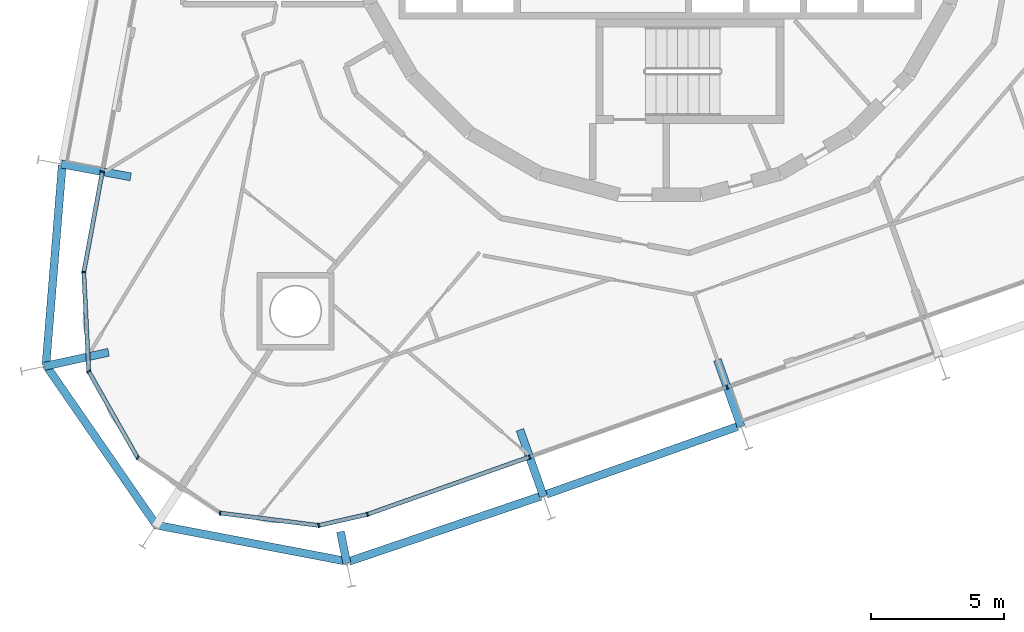
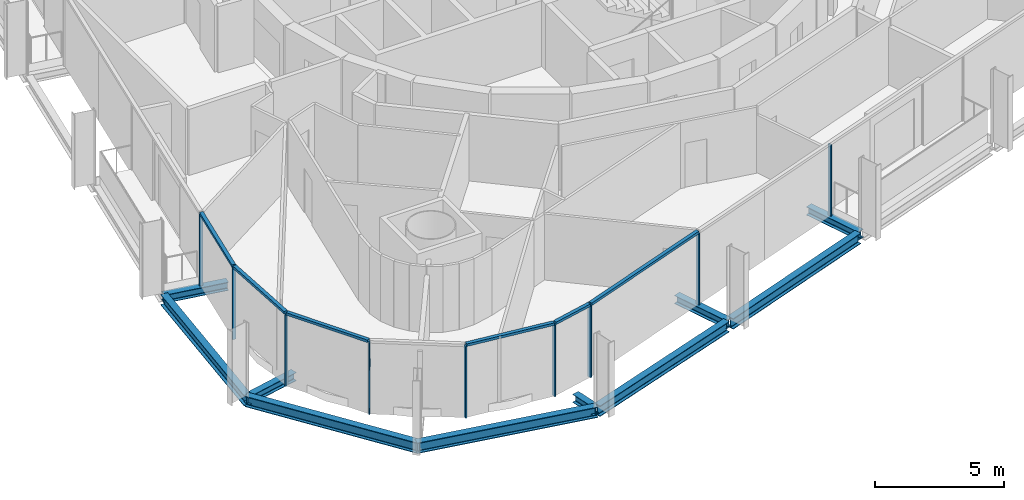
# One storey, part 2 of 17: 15 members, 10 beams, 2 elements without a shape of their own.
"""IFC4 building model written with IfcOpenShell, lengths in metres."""

from ifc_helpers import new_model, si_unit, direction, frame, origin, origin_2d, place, context, subcontext, project, spatial, rectangle, i_section, extrude, material, layer, layer_set, material_profile, profile_set, type_object, element, aggregate, save


model = new_model("IFC4")

# Units and contexts
model_context = context("Model", 3, precision=1e-05, world=origin(), true_north=direction((0.0, 1.0)))
body_context = subcontext(model_context, "Body", "Model", "MODEL_VIEW")
ifc_project = project(units=[si_unit("LENGTHUNIT", "METRE"), si_unit("AREAUNIT", "SQUARE_METRE"), si_unit("VOLUMEUNIT", "CUBIC_METRE"), si_unit("PLANEANGLEUNIT", "RADIAN"), si_unit("MASSUNIT", "GRAM", prefix="KILO")], contexts=[model_context])

# Site, building, storey
site_placement = place(None, origin())
site = spatial("IfcSite", under=ifc_project, at=site_placement, CompositionType="ELEMENT")
building_placement = place(site_placement, origin())
building = spatial("IfcBuilding", under=site, at=building_placement, Name="Spindle Arch Residences", CompositionType="ELEMENT")
storey_placement = place(building_placement, frame((0.0, 0.0, 162.199951171875)))
storey = spatial("IfcBuildingStorey", under=building, at=storey_placement, Name="L40", CompositionType="ELEMENT", Elevation=162.199951171875)

# Curtain wall, members
ifc_material_1 = material(Name="Aluminium bronze unitised frame with tinted glass", Category="aluminium")
ifc_layer_1 = layer(ifc_material_1, 0.159912109375)
ifc_layer_set_1 = layer_set([ifc_layer_1], Name="CW-D corner wall on the fillet arcs")
curtain_wall_type_1 = type_object("IfcCurtainWallType", Name="CW-D corner wall on the fillet arcs", PredefinedType="NOTDEFINED", material=ifc_layer_set_1)
curtain_wall_1_placement = place(storey_placement, origin())
curtain_wall_1 = element("IfcCurtainWall", 1, at=curtain_wall_1_placement, inside=storey, type_object=curtain_wall_type_1, Name="CW-D L40 run 5", PredefinedType="NOTDEFINED")
ifc_material_2 = material(Name="Aluminium bronze anodised mullion", Category="aluminium")
ifc_material_profile_1 = material_profile(ifc_material_2, rectangle(XDim=0.159912109375, YDim=0.06005859375, at=origin_2d()), Name="MU 60x160")
ifc_profile_set_1 = profile_set([ifc_material_profile_1], Name="Aluminium bronze anodised mullion")
member_type_1 = type_object("IfcMemberType", Name="Bronze mullion 60x160", PredefinedType="MULLION", material=ifc_profile_set_1)
member_1_placement = place(storey_placement, frame((-20.92724609375, -10.77685546875, -0.3798828125), z_axis=(0.0, 0.0, 1.0), x_axis=(0.983254907564, -0.182235525492, 0.0)))
member_1 = element("IfcMember", 2, at=member_1_placement, type_object=member_type_1, Name="CW-D mullion 00", PredefinedType="MULLION", context=body_context, shape_type="SweptSolid", body=[
    extrude(rectangle(XDim=0.159912109375, YDim=0.06005859375, at=origin_2d()), origin(), (0.0, 0.0, 1.0), 3.3798828125),
])
member_2_placement = place(storey_placement, frame((-21.6259765625, -14.546142578125, -0.3798828125), z_axis=(0.0, 0.0, 1.0), x_axis=(0.99877754864, 0.049430843939, 0.0)))
member_2 = element("IfcMember", 3, at=member_2_placement, type_object=member_type_1, Name="CW-D mullion 01", PredefinedType="MULLION", context=body_context, shape_type="SweptSolid", body=[
    extrude(rectangle(XDim=0.159912109375, YDim=0.06005859375, at=origin_2d()), origin(), (0.0, 0.0, 1.0), 3.3798828125),
])
member_3_placement = place(storey_placement, frame((-21.441650390625, -18.268310546875, -0.3798828125), z_axis=(0.0, 0.0, 1.0), x_axis=(0.870355694762, 0.492423562185, 0.0)))
member_3 = element("IfcMember", 4, at=member_3_placement, type_object=member_type_1, Name="CW-D mullion 02", PredefinedType="MULLION", context=body_context, shape_type="SweptSolid", body=[
    extrude(rectangle(XDim=0.159912109375, YDim=0.06005859375, at=origin_2d()), origin(), (0.0, 0.0, 1.0), 3.3798828125),
])
member_4_placement = place(storey_placement, frame((-19.6064453125, -21.511962890625, -0.3798828125), z_axis=(0.0, 0.0, 1.0), x_axis=(0.556778968928, 0.830660688705, 0.0)))
member_4 = element("IfcMember", 5, at=member_4_placement, type_object=member_type_1, Name="CW-D mullion 03", PredefinedType="MULLION", context=body_context, shape_type="SweptSolid", body=[
    extrude(rectangle(XDim=0.159912109375, YDim=0.06005859375, at=origin_2d()), origin(), (0.0, 0.0, 1.0), 3.3798828125),
])
member_5_placement = place(storey_placement, frame((-16.510986328125, -23.5869140625, -0.3798828125), z_axis=(0.0, 0.0, 1.0), x_axis=(0.12475602349, 0.992187449327, 0.0)))
member_5 = element("IfcMember", 6, at=member_5_placement, type_object=member_type_1, Name="CW-D mullion 04", PredefinedType="MULLION", context=body_context, shape_type="SweptSolid", body=[
    extrude(rectangle(XDim=0.159912109375, YDim=0.06005859375, at=origin_2d()), origin(), (0.0, 0.0, 1.0), 3.3798828125),
])
member_6_placement = place(storey_placement, frame((-12.813232421875, -24.0517578125, -0.3798828125), z_axis=(0.0, 0.0, 1.0), x_axis=(-0.222115779565, 0.975020297465, 0.0)))
member_6 = element("IfcMember", 7, at=member_6_placement, type_object=member_type_1, Name="CW-D mullion 05", PredefinedType="MULLION", context=body_context, shape_type="SweptSolid", body=[
    extrude(rectangle(XDim=0.159912109375, YDim=0.06005859375, at=origin_2d()), origin(), (0.0, 0.0, 1.0), 3.3798828125),
])
member_7_placement = place(storey_placement, frame((-10.984130859375, -23.63525390625, -0.3798828125), z_axis=(0.0, 0.0, 1.0), x_axis=(-0.333806859234, 0.942641491092, 0.0)))
member_7 = element("IfcMember", 8, at=member_7_placement, type_object=member_type_1, Name="CW-D mullion 06", PredefinedType="MULLION", context=body_context, shape_type="SweptSolid", body=[
    extrude(rectangle(XDim=0.159912109375, YDim=0.06005859375, at=origin_2d()), origin(), (0.0, 0.0, 1.0), 3.3798828125),
])

ifc_material_3 = material(Name="Aluminium bronze unitised frame with tinted glass", Category="aluminium")
ifc_layer_2 = layer(ifc_material_3, 0.159912109375)
ifc_layer_set_2 = layer_set([ifc_layer_2], Name="CW-C typical residential unitised wall")
curtain_wall_type_2 = type_object("IfcCurtainWallType", Name="CW-C typical residential unitised wall", PredefinedType="NOTDEFINED", material=ifc_layer_set_2)
curtain_wall_2_placement = place(storey_placement, origin())
curtain_wall_2 = element("IfcCurtainWall", 9, at=curtain_wall_2_placement, inside=storey, type_object=curtain_wall_type_2, Name="CW-C L40 run 6", PredefinedType="NOTDEFINED")
member_8_placement = place(storey_placement, frame((-4.900634765625, -21.48095703125, -0.3798828125), z_axis=(0.0, 0.0, 1.0), x_axis=(-0.333806859234, 0.942641491092, 0.0)))
member_8 = element("IfcMember", 10, at=member_8_placement, type_object=member_type_1, Name="CW-C mullion 20", PredefinedType="MULLION", context=body_context, shape_type="SweptSolid", body=[
    extrude(rectangle(XDim=0.159912109375, YDim=0.06005859375, at=origin_2d()), origin(), (0.0, 0.0, 1.0), 3.3798828125),
])
member_9_placement = place(storey_placement, frame((2.508544921875, -18.857177734375, -0.3798828125), z_axis=(0.0, 0.0, 1.0), x_axis=(-0.333806859234, 0.942641491092, 0.0)))
member_9 = element("IfcMember", 11, at=member_9_placement, type_object=member_type_1, Name="CW-C mullion 21", PredefinedType="MULLION", context=body_context, shape_type="SweptSolid", body=[
    extrude(rectangle(XDim=0.159912109375, YDim=0.06005859375, at=origin_2d()), origin(), (0.0, 0.0, 1.0), 3.3798828125),
])
aggregate(curtain_wall_2, [member_8, member_9])

# Member
ifc_material_4 = material(Name="Aluminium bronze anodised transom", Category="aluminium")
ifc_material_profile_2 = material_profile(ifc_material_4, rectangle(XDim=0.159912109375, YDim=0.1201171875, at=origin_2d()), Name="TR 120x160")
ifc_profile_set_2 = profile_set([ifc_material_profile_2], Name="Aluminium bronze anodised transom")
member_type_2 = type_object("IfcMemberType", Name="Bronze transom 120x160", PredefinedType="USERDEFINED", material=ifc_profile_set_2)
member_10_placement = place(storey_placement, frame((-20.932861328125, -10.806396484375, 3.06005859375), z_axis=(-0.182198152475, -0.983261833509, 0.0), x_axis=(0.983261833509, -0.182198152475, 0.0)))
member_10 = element("IfcMember", 12, at=member_10_placement, type_object=member_type_2, Name="CW-D transom 00", ObjectType="TRANSOM", PredefinedType="USERDEFINED", context=body_context, shape_type="SweptSolid", body=[
    extrude(rectangle(XDim=0.159912109375, YDim=0.1201171875, at=origin_2d()), origin(), (0.0, 0.0, 1.0), 3.7734375),
])

member_11_placement = place(storey_placement, frame((-21.62451171875, -14.576171875, 3.06005859375), z_axis=(0.049472678643, -0.998775477306, 0.0), x_axis=(0.998775477306, 0.049472678643, 0.0)))
member_11 = element("IfcMember", 13, at=member_11_placement, type_object=member_type_2, Name="CW-D transom 01", ObjectType="TRANSOM", PredefinedType="USERDEFINED", context=body_context, shape_type="SweptSolid", body=[
    extrude(rectangle(XDim=0.159912109375, YDim=0.1201171875, at=origin_2d()), origin(), (0.0, 0.0, 1.0), 3.66650390625),
])

member_12_placement = place(storey_placement, frame((-21.427001953125, -18.29443359375, 3.06005859375), z_axis=(0.49243456751, -0.870349468157, 0.0), x_axis=(0.870349468157, 0.49243456751, 0.0)))
member_12 = element("IfcMember", 14, at=member_12_placement, type_object=member_type_2, Name="CW-D transom 02", ObjectType="TRANSOM", PredefinedType="USERDEFINED", context=body_context, shape_type="SweptSolid", body=[
    extrude(rectangle(XDim=0.159912109375, YDim=0.1201171875, at=origin_2d()), origin(), (0.0, 0.0, 1.0), 3.666748046875),
])

member_13_placement = place(storey_placement, frame((-16.481201171875, -23.590576171875, 3.06005859375), z_axis=(0.992185413992, -0.12477220949, 0.0), x_axis=(0.12477220949, 0.992185413992, 0.0)))
member_13 = element("IfcMember", 15, at=member_13_placement, type_object=member_type_2, Name="CW-D transom 04", ObjectType="TRANSOM", PredefinedType="USERDEFINED", context=body_context, shape_type="SweptSolid", body=[
    extrude(rectangle(XDim=0.159912109375, YDim=0.1201171875, at=origin_2d()), origin(), (0.0, 0.0, 1.0), 3.666748046875),
])

member_14_placement = place(storey_placement, frame((-12.783935546875, -24.045166015625, 3.06005859375), z_axis=(0.975028425033, 0.222080099015, 0.0), x_axis=(-0.222080099015, 0.975028425033, 0.0)))
member_14 = element("IfcMember", 16, at=member_14_placement, type_object=member_type_2, Name="CW-D transom 05", ObjectType="TRANSOM", PredefinedType="USERDEFINED", context=body_context, shape_type="SweptSolid", body=[
    extrude(rectangle(XDim=0.159912109375, YDim=0.1201171875, at=origin_2d()), origin(), (0.0, 0.0, 1.0), 1.816162109375),
])

member_15_placement = place(storey_placement, frame((-10.955810546875, -23.625244140625, 3.06005859375), z_axis=(0.942638740525, 0.333814626495, 0.0), x_axis=(-0.333814626495, 0.942638740525, 0.0)))
member_15 = element("IfcMember", 17, at=member_15_placement, type_object=member_type_2, Name="CW-D transom 06", ObjectType="TRANSOM", PredefinedType="USERDEFINED", context=body_context, shape_type="SweptSolid", body=[
    extrude(rectangle(XDim=0.159912109375, YDim=0.1201171875, at=origin_2d()), origin(), (0.0, 0.0, 1.0), 6.3935546875),
])

aggregate(curtain_wall_1, [member_1, member_10, member_2, member_11, member_3, member_12, member_4, member_5, member_13, member_6, member_14, member_7, member_15])

# Beams
ifc_material_5 = material(Name="Steel S460ML, intumescent coating R 120", Category="steel")
ifc_material_profile_3 = material_profile(ifc_material_5, i_section(OverallWidth=0.300048828125, OverallDepth=0.5, WebThickness=0.014404296875, FlangeThickness=0.028076171875, FilletRadius=0.027099609375, at=origin_2d()), Name="HEB 500")
ifc_profile_set_3 = profile_set([ifc_material_profile_3], Name="Steel S460ML, intumescent coating R 120")
beam_type_1 = type_object("IfcBeamType", Name="Exoskeleton edge beam HEB 500", PredefinedType="BEAM", material=ifc_profile_set_3)
beam_1_placement = place(storey_placement, frame((-22.43408203125, -10.530517578125, -0.6298828125), z_axis=(-0.081396168561, -0.996681826735, 0.0), x_axis=(0.996681826735, -0.081396168561, 0.0)))
element("IfcBeam", 18, at=beam_1_placement, inside=storey, type_object=beam_type_1, Name="Exoskeleton edge beam 17", PredefinedType="BEAM", context=body_context, shape_type="SweptSolid", body=[
    extrude(i_section(OverallWidth=0.300048828125, OverallDepth=0.5, WebThickness=0.014404296875, FlangeThickness=0.028076171875, FilletRadius=0.027099609375, at=origin_2d()), origin(), (0.0, 0.0, 1.0), 7.534423828125),
])
for number, where, z_axis, x_axis, name in (
    (19, (-23.07080078125, -18.006103515625, -0.6298828125), (0.568398589538, -0.822753330842, 0.0), (0.822753330842, 0.568398589538, 0.0), "Exoskeleton edge beam 18"),
    (20, (-18.972900390625, -24.025390625, -0.6298828125), (0.982369437961, -0.186949959509, 0.0), (0.186949959509, 0.982369437961, 0.0), "Exoskeleton edge beam 19"),
):
    element("IfcBeam", number, at=place(storey_placement, frame(where, z_axis=z_axis, x_axis=x_axis)), inside=storey, type_object=beam_type_1, Name=name, PredefinedType="BEAM", context=body_context, shape_type="SweptSolid", body=[
        extrude(i_section(OverallWidth=0.300048828125, OverallDepth=0.5, WebThickness=0.014404296875, FlangeThickness=0.028076171875, FilletRadius=0.027099609375, at=origin_2d()), origin(), (0.0, 0.0, 1.0), 7.4033203125),
    ])
beam_2_placement = place(storey_placement, frame((-11.672119140625, -25.401123046875, -0.6298828125), z_axis=(0.94672748231, 0.322035827571, 0.0), x_axis=(-0.322035827571, 0.94672748231, 0.0)))
element("IfcBeam", 21, at=beam_2_placement, inside=storey, type_object=beam_type_1, Name="Exoskeleton edge beam 20", PredefinedType="BEAM", context=body_context, shape_type="SweptSolid", body=[
    extrude(i_section(OverallWidth=0.300048828125, OverallDepth=0.5, WebThickness=0.014404296875, FlangeThickness=0.028076171875, FilletRadius=0.027099609375, at=origin_2d()), origin(), (0.0, 0.0, 1.0), 7.596435546875),
])
beam_3_placement = place(storey_placement, frame((-4.267333984375, -22.8798828125, -0.6298828125), z_axis=(0.942633964352, 0.33382811333, 0.0), x_axis=(-0.33382811333, 0.942633964352, 0.0)))
element("IfcBeam", 22, at=beam_3_placement, inside=storey, type_object=beam_type_1, Name="Exoskeleton edge beam 21", PredefinedType="BEAM", context=body_context, shape_type="SweptSolid", body=[
    extrude(i_section(OverallWidth=0.300048828125, OverallDepth=0.5, WebThickness=0.014404296875, FlangeThickness=0.028076171875, FilletRadius=0.027099609375, at=origin_2d()), origin(), (0.0, 0.0, 1.0), 7.60009765625),
])
ifc_material_6 = material(Name="Steel S460ML, intumescent coating R 120", Category="steel")
ifc_material_profile_4 = material_profile(ifc_material_6, i_section(OverallWidth=0.300048828125, OverallDepth=0.389892578125, WebThickness=0.010986328125, FlangeThickness=0.01904296875, FilletRadius=0.027099609375, at=origin_2d()), Name="HEA 400")
ifc_profile_set_4 = profile_set([ifc_material_profile_4], Name="Steel S460ML, intumescent coating R 120")
beam_type_2 = type_object("IfcBeamType", Name="Floor outrigger HEA 400", PredefinedType="BEAM", material=ifc_profile_set_4)
beam_4_placement = place(storey_placement, frame((-22.470947265625, -10.49072265625, -0.574951171875), z_axis=(0.983253888741, -0.182241022482, 0.0), x_axis=(0.182241022482, 0.983253888741, 0.0)))
element("IfcBeam", 23, at=beam_4_placement, inside=storey, type_object=beam_type_2, Name="Floor outrigger 17", PredefinedType="BEAM", context=body_context, shape_type="SweptSolid", body=[
    extrude(i_section(OverallWidth=0.300048828125, OverallDepth=0.389892578125, WebThickness=0.010986328125, FlangeThickness=0.01904296875, FilletRadius=0.027099609375, at=origin_2d()), origin(), (0.0, 0.0, 1.0), 2.64990234375),
])
beam_5_placement = place(storey_placement, frame((-23.108154296875, -18.081298828125, -0.574951171875), z_axis=(0.976889051541, 0.21374700227, 0.0), x_axis=(-0.21374700227, 0.976889051541, 0.0)))
element("IfcBeam", 24, at=beam_5_placement, inside=storey, type_object=beam_type_2, Name="Floor outrigger 18", PredefinedType="BEAM", context=body_context, shape_type="SweptSolid", body=[
    extrude(i_section(OverallWidth=0.300048828125, OverallDepth=0.389892578125, WebThickness=0.010986328125, FlangeThickness=0.01904296875, FilletRadius=0.027099609375, at=origin_2d()), origin(), (0.0, 0.0, 1.0), 2.469482421875),
])
beam_6_placement = place(storey_placement, frame((-11.75390625, -25.47412109375, -0.574951171875), z_axis=(-0.199668771983, 0.979863450433, 0.0), x_axis=(-0.979863450433, -0.199668771983, 0.0)))
element("IfcBeam", 25, at=beam_6_placement, inside=storey, type_object=beam_type_2, Name="Floor outrigger 20", PredefinedType="BEAM", context=body_context, shape_type="SweptSolid", body=[
    extrude(i_section(OverallWidth=0.300048828125, OverallDepth=0.389892578125, WebThickness=0.010986328125, FlangeThickness=0.01904296875, FilletRadius=0.027099609375, at=origin_2d()), origin(), (0.0, 0.0, 1.0), 1.21533203125),
])
beam_7_placement = place(storey_placement, frame((-4.376708984375, -22.9609375, -0.574951171875), z_axis=(-0.333778924893, 0.942651382695, 0.0), x_axis=(-0.942651382695, -0.333778924893, 0.0)))
element("IfcBeam", 26, at=beam_7_placement, inside=storey, type_object=beam_type_2, Name="Floor outrigger 21", PredefinedType="BEAM", context=body_context, shape_type="SweptSolid", body=[
    extrude(i_section(OverallWidth=0.300048828125, OverallDepth=0.389892578125, WebThickness=0.010986328125, FlangeThickness=0.01904296875, FilletRadius=0.027099609375, at=origin_2d()), origin(), (0.0, 0.0, 1.0), 2.64990234375),
])
beam_8_placement = place(storey_placement, frame((3.03271484375, -20.337158203125, -0.574951171875), z_axis=(-0.333860785086, 0.942622393211, 0.0), x_axis=(-0.942622393211, -0.333860785086, 0.0)))
element("IfcBeam", 27, at=beam_8_placement, inside=storey, type_object=beam_type_2, Name="Floor outrigger 22", PredefinedType="BEAM", context=body_context, shape_type="SweptSolid", body=[
    extrude(i_section(OverallWidth=0.300048828125, OverallDepth=0.389892578125, WebThickness=0.010986328125, FlangeThickness=0.01904296875, FilletRadius=0.027099609375, at=origin_2d()), origin(), (0.0, 0.0, 1.0), 2.650146484375),
])

save(model, "model.ifc")
